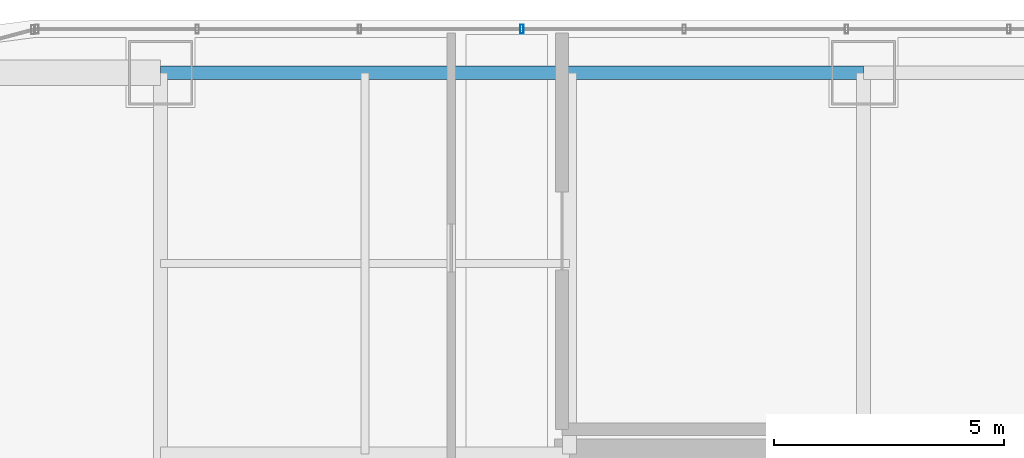
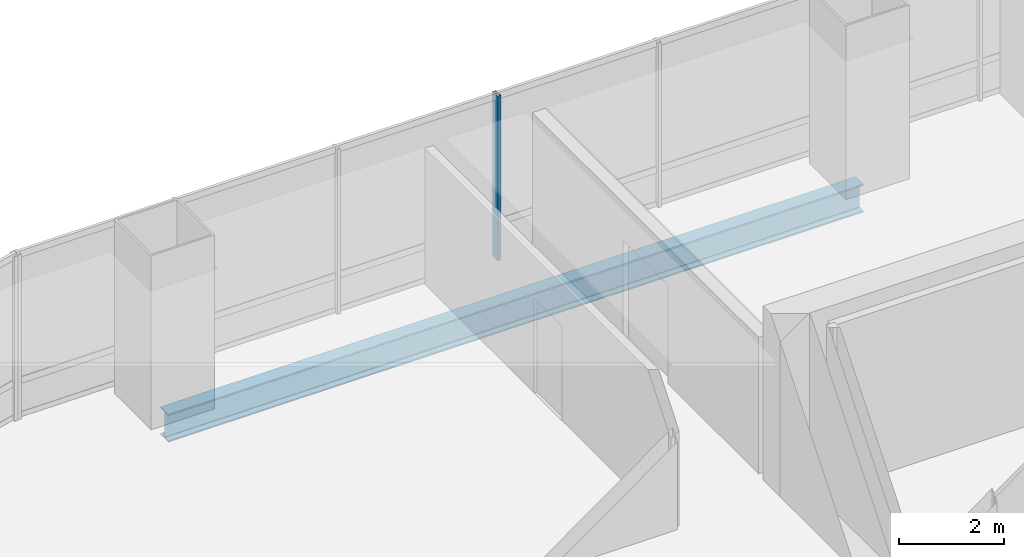
# One storey, part 21 of 36: 1 beam, 1 member, 1 element without a shape of its own.
"""IFC4 building model written with IfcOpenShell, lengths in metres."""

from ifc_helpers import new_model, si_unit, direction, frame, origin, origin_2d, place, context, subcontext, project, spatial, hollow_rectangle, i_section, extrude, material, material_profile, profile_set, type_object, element, aggregate, save


model = new_model("IFC4")

# Units and contexts
model_context = context("Model", 3, precision=1e-05, world=origin(), true_north=direction((0.0, 1.0)))
body_context = subcontext(model_context, "Body", "Model", "MODEL_VIEW")
ifc_project = project(units=[si_unit("LENGTHUNIT", "METRE"), si_unit("AREAUNIT", "SQUARE_METRE"), si_unit("VOLUMEUNIT", "CUBIC_METRE"), si_unit("PLANEANGLEUNIT", "RADIAN"), si_unit("MASSUNIT", "GRAM", prefix="KILO")], contexts=[model_context])

# Site, building, storey
site_placement = place(None, origin())
site = spatial("IfcSite", under=ifc_project, at=site_placement, CompositionType="ELEMENT")
building_placement = place(site_placement, origin())
building = spatial("IfcBuilding", under=site, at=building_placement, Name="Punatoya Terracotta Tower", CompositionType="ELEMENT")
storey_placement = place(building_placement, frame((0.0, 0.0, 184.35009765625)))
storey = spatial("IfcBuildingStorey", under=building, at=storey_placement, Name="L43", CompositionType="ELEMENT", Elevation=184.35009765625)

# Beam
ifc_material_1 = material(Name="Steel S355", Category="steel")
ifc_material_profile_1 = material_profile(ifc_material_1, i_section(OverallWidth=0.300048828125, OverallDepth=0.64990234375, WebThickness=0.01611328125, FlangeThickness=0.031005859375, FilletRadius=0.01806640625, at=origin_2d()))
ifc_profile_set_1 = profile_set([ifc_material_profile_1], Name="Steel S355")
beam_type = type_object("IfcBeamType", Name="BM-PRI-650", PredefinedType="BEAM", material=ifc_profile_set_1)
beam_placement = place(storey_placement, frame((-19.10009765625, 17.5, -0.545166015625), z_axis=(1.0, 0.0, 0.0), x_axis=(0.0, 1.0, 0.0)))
element("IfcBeam", 1, at=beam_placement, inside=storey, type_object=beam_type, Name="BM-L43-RG-N1", PredefinedType="BEAM", context=body_context, shape_type="SweptSolid", body=[
    extrude(i_section(OverallWidth=0.300048828125, OverallDepth=0.64990234375, WebThickness=0.01611328125, FlangeThickness=0.031005859375, FilletRadius=0.01806640625, at=origin_2d()), origin(), (0.0, 0.0, 1.0), 15.300048828125),
])

# Curtain wall, member
ifc_material_2 = material(Name="Aluminium 6063-T6 + Double Low-E Glass", Category="aluminium")
curtain_wall_type = type_object("IfcCurtainWallType", Name="CW-M2", PredefinedType="NOTDEFINED", material=ifc_material_2)
curtain_wall_placement = place(storey_placement, origin())
curtain_wall = element("IfcCurtainWall", 2, at=curtain_wall_placement, inside=storey, type_object=curtain_wall_type, Name="L43 Curtain Wall CW-L43-N09-1", PredefinedType="NOTDEFINED")
ifc_material_3 = material(Name="Aluminium 6063-T6", Category="aluminium")
ifc_material_profile_2 = material_profile(ifc_material_3, hollow_rectangle(XDim=0.072021484375, YDim=0.195068359375, WallThickness=0.00439453125, at=origin_2d()))
ifc_profile_set_2 = profile_set([ifc_material_profile_2], Name="Aluminium 6063-T6")
member_type = type_object("IfcMemberType", Name="CW-MUL-M2", PredefinedType="MULLION", material=ifc_profile_set_2)
member_placement = place(storey_placement, frame((-11.235107421875, 18.449951171875, 0.0), z_axis=(0.0, 0.0, 1.0), x_axis=(1.0, 0.0, 0.0)))
member = element("IfcMember", 3, at=member_placement, type_object=member_type, Name="CW-L43-N09-1 Mullion 08", PredefinedType="MULLION", context=body_context, shape_type="SweptSolid", body=[
    extrude(hollow_rectangle(XDim=0.072021484375, YDim=0.195068359375, WallThickness=0.00439453125, at=origin_2d()), origin(), (0.0, 0.0, 1.0), 3.829833984375),
])
aggregate(curtain_wall, [member])

save(model, "model.ifc")
